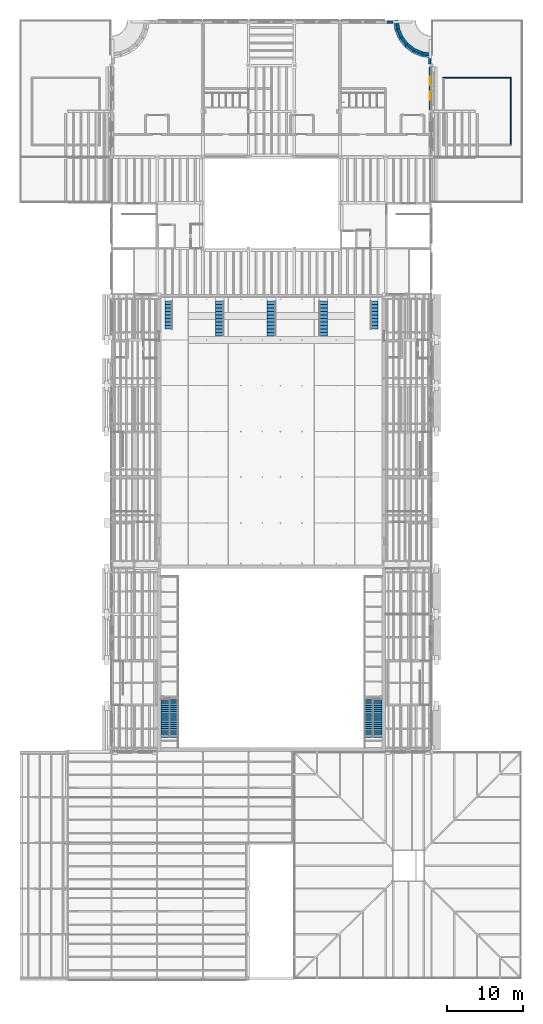
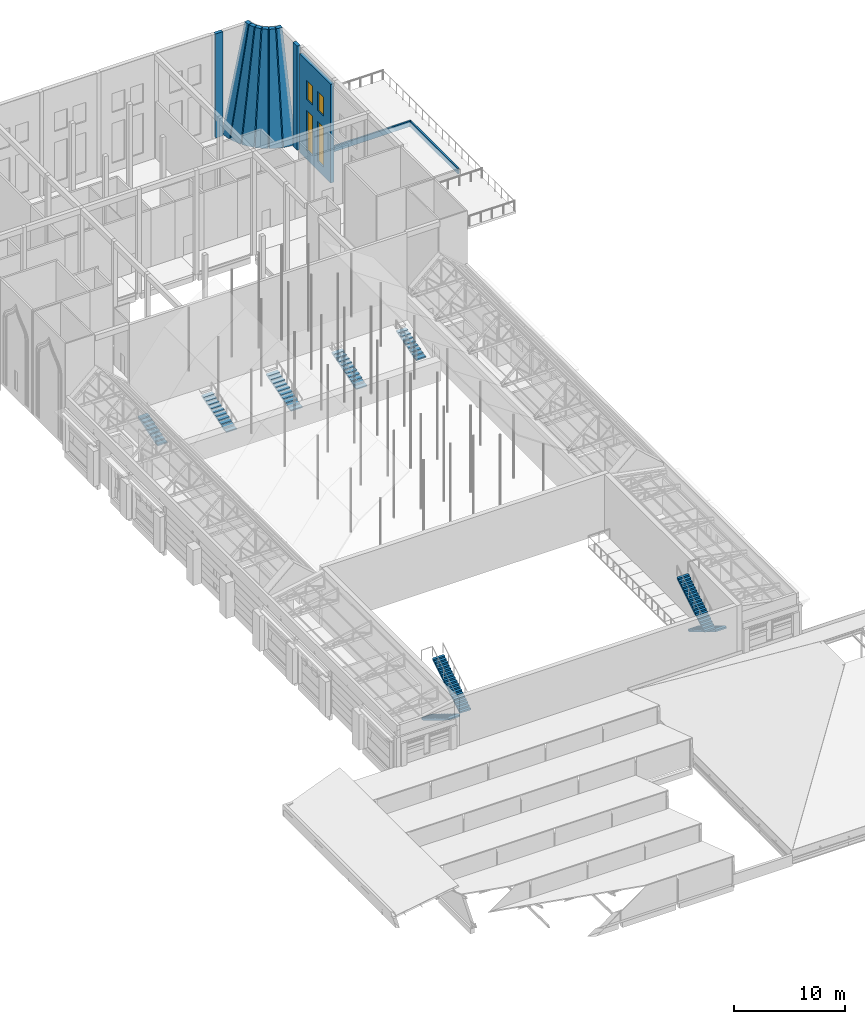
# One storey, part 69 of 118: 11 walls, 9 stair flights, 4 windows, 4 openings, 7 elements without a shape of their own.
"""IFC4 building model written with IfcOpenShell, lengths in metres."""

from ifc_helpers import new_model, si_unit, direction, frame, frame_2d, origin, place, context, subcontext, project, spatial, polyline, rectangle, outline, extrude, material, layer, layer_set, type_object, element, fill, aggregate, save


model = new_model("IFC4")

# Units and contexts
model_context = context("Model", 3, precision=1e-05, world=origin(), true_north=direction((0.0, 1.0)))
body_context = subcontext(model_context, "Body", "Model", "MODEL_VIEW")
ifc_project = project(units=[si_unit("LENGTHUNIT", "METRE"), si_unit("AREAUNIT", "SQUARE_METRE"), si_unit("VOLUMEUNIT", "CUBIC_METRE"), si_unit("PLANEANGLEUNIT", "RADIAN"), si_unit("MASSUNIT", "GRAM", prefix="KILO")], contexts=[model_context])

# Site, building, storey
site_placement = place(None, origin())
site = spatial("IfcSite", under=ifc_project, at=site_placement, CompositionType="ELEMENT")
building_placement = place(site_placement, origin())
building = spatial("IfcBuilding", under=site, at=building_placement, Name="Saffron Lane Theatres", CompositionType="ELEMENT")
storey_placement = place(building_placement, frame((0.0, 0.0, 16.5)))
storey = spatial("IfcBuildingStorey", under=building, at=storey_placement, Name="L03", CompositionType="ELEMENT", Elevation=16.5)

# Wall
ifc_material_1 = material(Name="Masonry pale clay brick", Category="masonry")
ifc_layer_1 = layer(ifc_material_1, 0.35009765625)
ifc_layer_set_1 = layer_set([ifc_layer_1], Name="Masonry pale clay brick")
wall_type_1 = type_object("IfcWallType", Name="EX-WALL BRICK 350", PredefinedType="SOLIDWALL", material=ifc_layer_set_1)
wall_1_placement = place(storey_placement, frame((53.77490234375, 120.96337890625, 0.0), z_axis=(0.0, 0.0, 1.0), x_axis=(0.0, -1.0, 0.0)))
element("IfcWall", 1, at=wall_1_placement, inside=storey, type_object=wall_type_1, Name="External wall L03 10", PredefinedType="SOLIDWALL", context=body_context, shape_type="SweptSolid", body=[
    extrude(rectangle(XDim=0.763427734375, YDim=0.35009765625, at=frame_2d((0.3818359375, 0.0))), origin(), (0.0, 0.0, 1.0), 11.5),
])

# Wall, openings, windows
wall_2_placement = place(storey_placement, frame((53.824951171875, 119.800048828125, 0.0), z_axis=(0.0, 0.0, 1.0), x_axis=(0.0, -1.0, 0.0)))
wall_2 = element("IfcWall", 2, at=wall_2_placement, inside=storey, type_object=wall_type_1, Name="External wall L03 12", PredefinedType="SOLIDWALL", context=body_context, shape_type="SweptSolid", body=[
    extrude(rectangle(XDim=5.60009765625, YDim=0.35009765625, at=frame_2d((2.800048828125, 0.0))), origin(), (0.0, 0.0, 1.0), 10.89990234375),
])
opening_1_placement = place(wall_2_placement, frame((1.25, 0.0, 1.0)))
opening_1 = element("IfcOpeningElement", 3, at=opening_1_placement, cuts=wall_2, Name="Opening WN03-021", PredefinedType="OPENING", context=body_context, shape_type="SweptSolid", body=[
    extrude(rectangle(XDim=1.10009765625, YDim=4.39990234375, at=frame_2d((0.550048828125, 2.199951171875))), frame((0.0, 0.18505859375, 0.0), z_axis=(0.0, -1.0, 0.0), x_axis=(1.0, 0.0, 0.0)), (0.0, 0.0, 1.0), 0.3701171875),
])
opening_2_placement = place(wall_2_placement, frame((3.25, 0.0, 1.0)))
opening_2 = element("IfcOpeningElement", 4, at=opening_2_placement, cuts=wall_2, Name="Opening WN03-022", PredefinedType="OPENING", context=body_context, shape_type="SweptSolid", body=[
    extrude(rectangle(XDim=1.10009765625, YDim=4.39990234375, at=frame_2d((0.550048828125, 2.199951171875))), frame((0.0, 0.18505859375, 0.0), z_axis=(0.0, -1.0, 0.0), x_axis=(1.0, 0.0, 0.0)), (0.0, 0.0, 1.0), 0.3701171875),
])
opening_3_placement = place(wall_2_placement, frame((1.25, 0.0, 6.60009765625)))
opening_3 = element("IfcOpeningElement", 5, at=opening_3_placement, cuts=wall_2, Name="Opening WN03-023", PredefinedType="OPENING", context=body_context, shape_type="SweptSolid", body=[
    extrude(rectangle(XDim=1.10009765625, YDim=2.10009765625, at=frame_2d((0.550048828125, 1.050048828125))), frame((0.0, 0.18505859375, 0.0), z_axis=(0.0, -1.0, 0.0), x_axis=(1.0, 0.0, 0.0)), (0.0, 0.0, 1.0), 0.3701171875),
])
opening_4_placement = place(wall_2_placement, frame((3.25, 0.0, 6.60009765625)))
opening_4 = element("IfcOpeningElement", 6, at=opening_4_placement, cuts=wall_2, Name="Opening WN03-024", PredefinedType="OPENING", context=body_context, shape_type="SweptSolid", body=[
    extrude(rectangle(XDim=1.10009765625, YDim=2.10009765625, at=frame_2d((0.550048828125, 1.050048828125))), frame((0.0, 0.18505859375, 0.0), z_axis=(0.0, -1.0, 0.0), x_axis=(1.0, 0.0, 0.0)), (0.0, 0.0, 1.0), 0.3701171875),
])
ifc_material_2 = material(Name="Aluminium", Category="aluminium")
window_type_1 = type_object("IfcWindowType", Name="EX-WINDOW 1100x2100", PartitioningType="SINGLE_PANEL", PredefinedType="WINDOW", material=ifc_material_2)
window_1_placement = place(opening_3_placement, origin())
window_1 = element("IfcWindow", 7, at=window_1_placement, inside=storey, type_object=window_type_1, Name="Window L03 023", OverallHeight=2.10009765625, OverallWidth=1.10009765625, PartitioningType="SINGLE_PANEL", PredefinedType="WINDOW", context=body_context, shape_type="SweptSolid", body=[
    extrude(rectangle(XDim=1.10009765625, YDim=2.10009765625, at=frame_2d((0.550048828125, 1.050048828125))), frame((0.0, 0.030029296875, 0.0), z_axis=(0.0, -1.0, 0.0), x_axis=(1.0, 0.0, 0.0)), (0.0, 0.0, 1.0), 0.06005859375),
])
fill(opening_3, window_1)
window_2_placement = place(opening_4_placement, origin())
window_2 = element("IfcWindow", 8, at=window_2_placement, inside=storey, type_object=window_type_1, Name="Window L03 024", OverallHeight=2.10009765625, OverallWidth=1.10009765625, PartitioningType="SINGLE_PANEL", PredefinedType="WINDOW", context=body_context, shape_type="SweptSolid", body=[
    extrude(rectangle(XDim=1.10009765625, YDim=2.10009765625, at=frame_2d((0.550048828125, 1.050048828125))), frame((0.0, 0.030029296875, 0.0), z_axis=(0.0, -1.0, 0.0), x_axis=(1.0, 0.0, 0.0)), (0.0, 0.0, 1.0), 0.06005859375),
])
fill(opening_4, window_2)
ifc_material_3 = material(Name="Aluminium", Category="aluminium")
window_type_2 = type_object("IfcWindowType", Name="EX-WINDOW 1100x4400", PartitioningType="SINGLE_PANEL", PredefinedType="WINDOW", material=ifc_material_3)
window_3_placement = place(opening_1_placement, origin())
window_3 = element("IfcWindow", 9, at=window_3_placement, inside=storey, type_object=window_type_2, Name="Window L03 021", OverallHeight=4.39990234375, OverallWidth=1.10009765625, PartitioningType="SINGLE_PANEL", PredefinedType="WINDOW", context=body_context, shape_type="SweptSolid", body=[
    extrude(rectangle(XDim=1.10009765625, YDim=4.39990234375, at=frame_2d((0.550048828125, 2.199951171875))), frame((0.0, 0.030029296875, 0.0), z_axis=(0.0, -1.0, 0.0), x_axis=(1.0, 0.0, 0.0)), (0.0, 0.0, 1.0), 0.06005859375),
])
fill(opening_1, window_3)
window_4_placement = place(opening_2_placement, origin())
window_4 = element("IfcWindow", 10, at=window_4_placement, inside=storey, type_object=window_type_2, Name="Window L03 022", OverallHeight=4.39990234375, OverallWidth=1.10009765625, PartitioningType="SINGLE_PANEL", PredefinedType="WINDOW", context=body_context, shape_type="SweptSolid", body=[
    extrude(rectangle(XDim=1.10009765625, YDim=4.39990234375, at=frame_2d((0.550048828125, 2.199951171875))), frame((0.0, 0.030029296875, 0.0), z_axis=(0.0, -1.0, 0.0), x_axis=(1.0, 0.0, 0.0)), (0.0, 0.0, 1.0), 0.06005859375),
])
fill(opening_2, window_4)

# Walls
ifc_material_4 = material(Name="Masonry pale clay brick (20 MPa)", Category="masonry")
ifc_layer_2 = layer(ifc_material_4, 0.35009765625)
ifc_layer_set_2 = layer_set([ifc_layer_2], Name="Masonry pale clay brick (20 MPa)")
wall_type_2 = type_object("IfcWallType", Name="EX-WALL BRICK BEARING 350", PredefinedType="SOLIDWALL", material=ifc_layer_set_2)
wall_3_placement = place(storey_placement, frame((48.199951171875, 125.72509765625, 0.0), z_axis=(0.0, 0.0, 1.0), x_axis=(1.0, 0.0, 0.0)))
element("IfcWall", 11, at=wall_3_placement, inside=storey, type_object=wall_type_2, Name="External wall L03 08", PredefinedType="SOLIDWALL", context=body_context, shape_type="SweptSolid", body=[
    extrude(rectangle(XDim=0.763916015625, YDim=0.35009765625, at=frame_2d((0.3818359375, 0.0))), origin(), (0.0, 0.0, 1.0), 11.5),
])
ifc_material_5 = material(Name="Concrete N50 (50 MPa)", Category="concrete")
ifc_layer_3 = layer(ifc_material_5, 0.175048828125)
ifc_layer_set_3 = layer_set([ifc_layer_3], Name="Concrete N50 (50 MPa)")
wall_type_3 = type_object("IfcWallType", Name="RC-KERB 175", PredefinedType="SOLIDWALL", material=ifc_layer_set_3)
wall_4_placement = place(storey_placement, frame((55.5, 118.41259765625, 0.0), z_axis=(0.0, 0.0, 1.0), x_axis=(1.0, 0.0, 0.0)))
element("IfcWall", 12, at=wall_4_placement, inside=storey, type_object=wall_type_3, Name="W-KERB-E-N-L03", PredefinedType="SOLIDWALL", context=body_context, shape_type="SweptSolid", body=[
    extrude(rectangle(XDim=9.0, YDim=0.175048828125, at=frame_2d((4.5, 0.0))), origin(), (0.0, 0.0, 1.0), 0.60009765625),
])
wall_5_placement = place(storey_placement, frame((64.41259765625, 109.675048828125, 0.0), z_axis=(0.0, 0.0, 1.0), x_axis=(0.0, 1.0, 0.0)))
element("IfcWall", 13, at=wall_5_placement, inside=storey, type_object=wall_type_3, Name="W-KERB-E-E-L03", PredefinedType="SOLIDWALL", context=body_context, shape_type="SweptSolid", body=[
    extrude(rectangle(XDim=8.64990234375, YDim=0.175048828125, at=frame_2d((4.324951171875, 0.0))), origin(), (0.0, 0.0, 1.0), 0.60009765625),
])
ifc_material_6 = material(Name="Masonry pale clay brick", Category="masonry")
ifc_layer_4 = layer(ifc_material_6, 0.11, Name="facing")
ifc_material_7 = material(Name="Concrete N50 (50 MPa)", Category="concrete")
ifc_layer_5 = layer(ifc_material_7, 0.29, Name="structure")
ifc_layer_set_4 = layer_set([ifc_layer_4, ifc_layer_5], Name="Concrete N50 (50 MPa)")
wall_type_4 = type_object("IfcWallType", Name="RC-SCOOP 400", PredefinedType="SOLIDWALL", material=ifc_layer_set_4)
wall_6_placement = place(storey_placement, frame((49.589111328125, 124.817626953125, 0.0), z_axis=(-0.970658767683, -0.127804312758, 0.203685086252), x_axis=(-0.130537547954, 0.991443366163, 1.6312522e-05)))
element("IfcWall", 14, at=wall_6_placement, inside=storey, type_object=wall_type_4, Name="W-SCOOP-NE-L03-1-F1", PredefinedType="SOLIDWALL", context=body_context, shape_type="SweptSolid", body=[
    extrude(outline(polyline([(0.0, 0.0), (1.1920726937598658, 0.0), (0.8772619664799506, -11.746228243084472), (0.3150654315962502, -11.746257472389681), (0.0, 0.0)])), origin(), (1.1662418e-05, 0.203685086452, 0.979036457657), 0.408447265625),
])
wall_7_placement = place(storey_placement, frame((50.04541015625, 123.71630859375, 0.0), z_axis=(-0.904489867265, -0.374713337598, 0.203686019748), x_axis=(-0.382738214206, 0.923856839203, -6.661643e-06)))
element("IfcWall", 15, at=wall_7_placement, inside=storey, type_object=wall_type_4, Name="W-SCOOP-NE-L03-1-F3", PredefinedType="SOLIDWALL", context=body_context, shape_type="SweptSolid", body=[
    extrude(outline(polyline([(0.0, 0.0), (1.1921034970691948, 0.0), (0.876802602389055, -11.746251154613784), (0.3147332997278946, -11.746239218719175), (0.0, 0.0)])), origin(), (5.9874528e-05, 0.203686018997, 0.979036261882), 0.408447265625),
])
wall_8_placement = place(storey_placement, frame((50.77099609375, 122.7705078125, 0.0), z_axis=(-0.776823680551, -0.595869137879, 0.203678520857), x_axis=(-0.608629514106, 0.793454544619, -1.3471187e-05)))
element("IfcWall", 16, at=wall_8_placement, inside=storey, type_object=wall_type_4, Name="W-SCOOP-NE-L03-1-F5", PredefinedType="SOLIDWALL", context=body_context, shape_type="SweptSolid", body=[
    extrude(outline(polyline([(0.0, 0.0), (1.1920629447704265, 2.7755575615628914e-17), (0.8773044418350319, -11.746238543187681), (0.31521181432461715, -11.746214406676541), (0.0, 0.0)])), origin(), (-0.00016613122, 0.203678520256, 0.979037809682), 0.408447265625),
])
wall_9_placement = place(storey_placement, frame((51.716796875, 122.044921875, 0.0), z_axis=(-0.595869137879, -0.776823680551, 0.203678520857), x_axis=(-0.793454544619, 0.608629514106, 1.3471187e-05)))
element("IfcWall", 17, at=wall_9_placement, inside=storey, type_object=wall_type_4, Name="W-SCOOP-NE-L03-1-F7", PredefinedType="SOLIDWALL", context=body_context, shape_type="SweptSolid", body=[
    extrude(outline(polyline([(0.0, 0.0), (1.1920629447704265, -2.7755575615628914e-17), (0.8768511304458095, -11.746214406676541), (0.3147585029353948, -11.746238543187681), (0.0, 0.0)])), origin(), (0.00016613122, 0.203678520256, 0.979037809682), 0.408447265625),
])
wall_10_placement = place(storey_placement, frame((52.818115234375, 121.588623046875, 0.0), z_axis=(-0.374713337598, -0.904489867265, 0.203686019748), x_axis=(-0.923856839203, 0.382738214206, 6.661643e-06)))
element("IfcWall", 18, at=wall_10_placement, inside=storey, type_object=wall_type_4, Name="W-SCOOP-NE-L03-1-F9", PredefinedType="SOLIDWALL", context=body_context, shape_type="SweptSolid", body=[
    extrude(outline(polyline([(0.0, 0.0), (1.1921034970691948, 0.0), (0.8773701973413004, -11.746239218719175), (0.3153008946801397, -11.746251154613784), (0.0, 0.0)])), origin(), (-5.9874528e-05, 0.203686018997, 0.979036261882), 0.408447265625),
])
wall_11_placement = place(storey_placement, frame((54.0, 121.43310546875, 0.0), z_axis=(-0.127804312758, -0.970658767683, 0.203685086252), x_axis=(-0.991443366163, 0.130537547954, -1.6312522e-05)))
element("IfcWall", 19, at=wall_11_placement, inside=storey, type_object=wall_type_4, Name="W-SCOOP-NE-L03-1-F11", PredefinedType="SOLIDWALL", context=body_context, shape_type="SweptSolid", body=[
    extrude(outline(polyline([(0.0, 0.0), (1.1920726937598658, 0.0), (0.8770072621636154, -11.746257472389681), (0.31481072727991516, -11.746228243084472), (0.0, 0.0)])), origin(), (-1.1662418e-05, 0.203685086452, 0.979036457657), 0.408447265625),
])

# Stair, stair flights
ifc_material_8 = material(Name="Steel Grade 350 stair", Category="steel")
stair_type_1 = type_object("IfcStairType", Name="ST-STEEL STAIR", PredefinedType="HALF_TURN_STAIR", material=ifc_material_8)
stair_1_placement = place(storey_placement, origin())
stair_1 = element("IfcStair", 20, at=stair_1_placement, inside=storey, type_object=stair_type_1, Name="STG3", PredefinedType="HALF_TURN_STAIR")
ifc_material_9 = material(Name="Steel Grade 350 stair", Category="steel")
stair_flight_type_1 = type_object("IfcStairFlightType", Name="ST-STEEL STAIR FLIGHT", PredefinedType="STRAIGHT", material=ifc_material_9)
stair_flight_1_placement = place(storey_placement, frame((19.074951171875, 36.89990234375, 0.0), z_axis=(0.0, 0.0, 1.0), x_axis=(0.0, -1.0, 0.0)))
stair_flight_1 = element("IfcStairFlight", 21, at=stair_flight_1_placement, type_object=stair_flight_type_1, Name="STG3 flight 1", NumberOfRisers=19, NumberOfTreads=18, PredefinedType="STRAIGHT", RiserHeight=0.171053, TreadLength=0.28, context=body_context, shape_type="SweptSolid", body=[
    extrude(outline(polyline([(0.0, 0.0), (0.0, 0.171142578125), (0.280029296875, 0.171142578125), (0.280029296875, 0.342041015625), (0.56005859375, 0.342041015625), (0.56005859375, 0.51318359375), (0.840087890625, 0.51318359375), (0.840087890625, 0.684326171875), (1.1201171875, 0.684326171875), (1.1201171875, 0.855224609375), (1.39990234375, 0.855224609375), (1.39990234375, 1.0263671875), (1.679931640625, 1.0263671875), (1.679931640625, 1.197265625), (1.9599609375, 1.197265625), (1.9599609375, 1.368408203125), (2.239990234375, 1.368408203125), (2.239990234375, 1.53955078125), (2.52001953125, 1.53955078125), (2.52001953125, 1.71044921875), (2.800048828125, 1.71044921875), (2.800048828125, 1.881591796875), (3.080078125, 1.881591796875), (3.080078125, 2.052734375), (3.360107421875, 2.052734375), (3.360107421875, 2.2236328125), (3.639892578125, 2.2236328125), (3.639892578125, 2.394775390625), (3.919921875, 2.394775390625), (3.919921875, 2.565673828125), (4.199951171875, 2.565673828125), (4.199951171875, 2.73681640625), (4.47998046875, 2.73681640625), (4.47998046875, 2.907958984375), (4.760009765625, 2.907958984375), (4.760009765625, 3.078857421875), (5.0400390625, 3.078857421875), (5.0400390625, 3.25), (5.0400390625, 2.9033203125), (0.28759765625, 0.0), (0.0, 0.0)])), frame((0.0, 0.574951171875, 0.0), z_axis=(0.0, -1.0, 0.0), x_axis=(1.0, 0.0, 0.0)), (0.0, 0.0, 1.0), 1.14990234375),
])
stair_flight_2_placement = place(storey_placement, frame((20.22509765625, 31.860107421875, 3.25), z_axis=(0.0, 0.0, 1.0), x_axis=(0.0, 1.0, 0.0)))
stair_flight_2 = element("IfcStairFlight", 22, at=stair_flight_2_placement, type_object=stair_flight_type_1, Name="STG3 flight 2", NumberOfRisers=19, NumberOfTreads=18, PredefinedType="STRAIGHT", RiserHeight=0.171053, TreadLength=0.28, context=body_context, shape_type="SweptSolid", body=[
    extrude(outline(polyline([(0.0, 0.0), (0.0, 0.171142578125), (0.280029296875, 0.171142578125), (0.280029296875, 0.342041015625), (0.56005859375, 0.342041015625), (0.56005859375, 0.51318359375), (0.840087890625, 0.51318359375), (0.840087890625, 0.684326171875), (1.1201171875, 0.684326171875), (1.1201171875, 0.855224609375), (1.39990234375, 0.855224609375), (1.39990234375, 1.0263671875), (1.679931640625, 1.0263671875), (1.679931640625, 1.197265625), (1.9599609375, 1.197265625), (1.9599609375, 1.368408203125), (2.239990234375, 1.368408203125), (2.239990234375, 1.53955078125), (2.52001953125, 1.53955078125), (2.52001953125, 1.71044921875), (2.800048828125, 1.71044921875), (2.800048828125, 1.881591796875), (3.080078125, 1.881591796875), (3.080078125, 2.052734375), (3.360107421875, 2.052734375), (3.360107421875, 2.2236328125), (3.639892578125, 2.2236328125), (3.639892578125, 2.394775390625), (3.919921875, 2.394775390625), (3.919921875, 2.565673828125), (4.199951171875, 2.565673828125), (4.199951171875, 2.73681640625), (4.47998046875, 2.73681640625), (4.47998046875, 2.907958984375), (4.760009765625, 2.907958984375), (4.760009765625, 3.078857421875), (5.0400390625, 3.078857421875), (5.0400390625, 3.25), (5.0400390625, 2.9033203125), (0.28759765625, 0.0), (0.0, 0.0)])), frame((0.0, 0.574951171875, 0.0), z_axis=(0.0, -1.0, 0.0), x_axis=(1.0, 0.0, 0.0)), (0.0, 0.0, 1.0), 1.14990234375),
])
aggregate(stair_1, [stair_flight_1, stair_flight_2])

stair_2_placement = place(storey_placement, origin())
stair_2 = element("IfcStair", 23, at=stair_2_placement, inside=storey, type_object=stair_type_1, Name="STG6", PredefinedType="HALF_TURN_STAIR")
stair_flight_3_placement = place(storey_placement, frame((46.925048828125, 36.89990234375, 0.0), z_axis=(0.0, 0.0, 1.0), x_axis=(0.0, -1.0, 0.0)))
stair_flight_3 = element("IfcStairFlight", 24, at=stair_flight_3_placement, type_object=stair_flight_type_1, Name="STG6 flight 1", NumberOfRisers=19, NumberOfTreads=18, PredefinedType="STRAIGHT", RiserHeight=0.171053, TreadLength=0.28, context=body_context, shape_type="SweptSolid", body=[
    extrude(outline(polyline([(0.0, 0.0), (0.0, 0.171142578125), (0.280029296875, 0.171142578125), (0.280029296875, 0.342041015625), (0.56005859375, 0.342041015625), (0.56005859375, 0.51318359375), (0.840087890625, 0.51318359375), (0.840087890625, 0.684326171875), (1.1201171875, 0.684326171875), (1.1201171875, 0.855224609375), (1.39990234375, 0.855224609375), (1.39990234375, 1.0263671875), (1.679931640625, 1.0263671875), (1.679931640625, 1.197265625), (1.9599609375, 1.197265625), (1.9599609375, 1.368408203125), (2.239990234375, 1.368408203125), (2.239990234375, 1.53955078125), (2.52001953125, 1.53955078125), (2.52001953125, 1.71044921875), (2.800048828125, 1.71044921875), (2.800048828125, 1.881591796875), (3.080078125, 1.881591796875), (3.080078125, 2.052734375), (3.360107421875, 2.052734375), (3.360107421875, 2.2236328125), (3.639892578125, 2.2236328125), (3.639892578125, 2.394775390625), (3.919921875, 2.394775390625), (3.919921875, 2.565673828125), (4.199951171875, 2.565673828125), (4.199951171875, 2.73681640625), (4.47998046875, 2.73681640625), (4.47998046875, 2.907958984375), (4.760009765625, 2.907958984375), (4.760009765625, 3.078857421875), (5.0400390625, 3.078857421875), (5.0400390625, 3.25), (5.0400390625, 2.9033203125), (0.28759765625, 0.0), (0.0, 0.0)])), frame((0.0, 0.574951171875, 0.0), z_axis=(0.0, -1.0, 0.0), x_axis=(1.0, 0.0, 0.0)), (0.0, 0.0, 1.0), 1.14990234375),
])
stair_flight_4_placement = place(storey_placement, frame((45.77490234375, 31.860107421875, 3.25), z_axis=(0.0, 0.0, 1.0), x_axis=(0.0, 1.0, 0.0)))
stair_flight_4 = element("IfcStairFlight", 25, at=stair_flight_4_placement, type_object=stair_flight_type_1, Name="STG6 flight 2", NumberOfRisers=19, NumberOfTreads=18, PredefinedType="STRAIGHT", RiserHeight=0.171053, TreadLength=0.28, context=body_context, shape_type="SweptSolid", body=[
    extrude(outline(polyline([(0.0, 0.0), (0.0, 0.171142578125), (0.280029296875, 0.171142578125), (0.280029296875, 0.342041015625), (0.56005859375, 0.342041015625), (0.56005859375, 0.51318359375), (0.840087890625, 0.51318359375), (0.840087890625, 0.684326171875), (1.1201171875, 0.684326171875), (1.1201171875, 0.855224609375), (1.39990234375, 0.855224609375), (1.39990234375, 1.0263671875), (1.679931640625, 1.0263671875), (1.679931640625, 1.197265625), (1.9599609375, 1.197265625), (1.9599609375, 1.368408203125), (2.239990234375, 1.368408203125), (2.239990234375, 1.53955078125), (2.52001953125, 1.53955078125), (2.52001953125, 1.71044921875), (2.800048828125, 1.71044921875), (2.800048828125, 1.881591796875), (3.080078125, 1.881591796875), (3.080078125, 2.052734375), (3.360107421875, 2.052734375), (3.360107421875, 2.2236328125), (3.639892578125, 2.2236328125), (3.639892578125, 2.394775390625), (3.919921875, 2.394775390625), (3.919921875, 2.565673828125), (4.199951171875, 2.565673828125), (4.199951171875, 2.73681640625), (4.47998046875, 2.73681640625), (4.47998046875, 2.907958984375), (4.760009765625, 2.907958984375), (4.760009765625, 3.078857421875), (5.0400390625, 3.078857421875), (5.0400390625, 3.25), (5.0400390625, 2.9033203125), (0.28759765625, 0.0), (0.0, 0.0)])), frame((0.0, 0.574951171875, 0.0), z_axis=(0.0, -1.0, 0.0), x_axis=(1.0, 0.0, 0.0)), (0.0, 0.0, 1.0), 1.14990234375),
])
aggregate(stair_2, [stair_flight_3, stair_flight_4])

# Stair, stair flight
ifc_material_10 = material(Name="Concrete N40 (40 MPa)", Category="concrete")
stair_type_2 = type_object("IfcStairType", Name="VC-STAIR AISLE", PredefinedType="STRAIGHT_RUN_STAIR", material=ifc_material_10)
stair_3_placement = place(storey_placement, origin())
stair_3 = element("IfcStair", 26, at=stair_3_placement, inside=storey, type_object=stair_type_2, Name="Upper Circle aisle 1", PredefinedType="STRAIGHT_RUN_STAIR")
ifc_material_11 = material(Name="Concrete N40 (40 MPa)", Category="concrete")
stair_flight_type_2 = type_object("IfcStairFlightType", Name="VC-FLIGHT 1000", PredefinedType="STRAIGHT", material=ifc_material_11)
stair_flight_5_placement = place(storey_placement, frame((19.5, 85.449951171875, 0.507568359375), z_axis=(0.0, 0.0, 1.0), x_axis=(0.0, 1.0, 0.0)))
stair_flight_5 = element("IfcStairFlight", 27, at=stair_flight_5_placement, type_object=stair_flight_type_2, Name="Upper Circle aisle 1 flight", NumberOfRisers=9, NumberOfTreads=8, PredefinedType="STRAIGHT", RiserHeight=0.141388889, TreadLength=0.454464286, context=body_context, shape_type="SweptSolid", body=[
    extrude(outline(polyline([(0.0, 0.0), (0.0, 0.141357421875), (0.454345703125, 0.141357421875), (0.454345703125, 0.28271484375), (0.908935546875, 0.28271484375), (0.908935546875, 0.424072265625), (1.36328125, 0.424072265625), (1.36328125, 0.565673828125), (1.81787109375, 0.565673828125), (1.81787109375, 0.70703125), (2.272216796875, 0.70703125), (2.272216796875, 0.848388671875), (2.726806640625, 0.848388671875), (2.726806640625, 0.98974609375), (3.18115234375, 0.98974609375), (3.18115234375, 1.131103515625), (3.6357421875, 1.131103515625), (3.6357421875, 1.2724609375), (3.6357421875, 0.97412109375), (0.504638671875, 0.0), (0.0, 0.0)])), frame((0.0, 0.5, 0.0), z_axis=(0.0, -1.0, 0.0), x_axis=(1.0, 0.0, 0.0)), (0.0, 0.0, 1.0), 1.0),
])
aggregate(stair_3, [stair_flight_5])

stair_4_placement = place(storey_placement, origin())
stair_4 = element("IfcStair", 28, at=stair_4_placement, inside=storey, type_object=stair_type_2, Name="Upper Circle aisle 5", PredefinedType="STRAIGHT_RUN_STAIR")
stair_flight_6_placement = place(storey_placement, frame((46.5, 85.449951171875, 0.507568359375), z_axis=(0.0, 0.0, 1.0), x_axis=(0.0, 1.0, 0.0)))
stair_flight_6 = element("IfcStairFlight", 29, at=stair_flight_6_placement, type_object=stair_flight_type_2, Name="Upper Circle aisle 5 flight", NumberOfRisers=9, NumberOfTreads=8, PredefinedType="STRAIGHT", RiserHeight=0.141388889, TreadLength=0.454464286, context=body_context, shape_type="SweptSolid", body=[
    extrude(outline(polyline([(0.0, 0.0), (0.0, 0.141357421875), (0.454345703125, 0.141357421875), (0.454345703125, 0.28271484375), (0.908935546875, 0.28271484375), (0.908935546875, 0.424072265625), (1.36328125, 0.424072265625), (1.36328125, 0.565673828125), (1.81787109375, 0.565673828125), (1.81787109375, 0.70703125), (2.272216796875, 0.70703125), (2.272216796875, 0.848388671875), (2.726806640625, 0.848388671875), (2.726806640625, 0.98974609375), (3.18115234375, 0.98974609375), (3.18115234375, 1.131103515625), (3.6357421875, 1.131103515625), (3.6357421875, 1.2724609375), (3.6357421875, 0.97412109375), (0.504638671875, 0.0), (0.0, 0.0)])), frame((0.0, 0.5, 0.0), z_axis=(0.0, -1.0, 0.0), x_axis=(1.0, 0.0, 0.0)), (0.0, 0.0, 1.0), 1.0),
])
aggregate(stair_4, [stair_flight_6])

stair_5_placement = place(storey_placement, origin())
stair_5 = element("IfcStair", 30, at=stair_5_placement, inside=storey, type_object=stair_type_2, Name="Upper Circle aisle 2", PredefinedType="STRAIGHT_RUN_STAIR")
ifc_material_12 = material(Name="Concrete N40 (40 MPa)", Category="concrete")
stair_flight_type_3 = type_object("IfcStairFlightType", Name="VC-FLIGHT 1100", PredefinedType="STRAIGHT", material=ifc_material_12)
stair_flight_7_placement = place(storey_placement, frame((26.199951171875, 84.550048828125, 0.1923828125), z_axis=(0.0, 0.0, 1.0), x_axis=(0.0, 1.0, 0.0)))
stair_flight_7 = element("IfcStairFlight", 31, at=stair_flight_7_placement, type_object=stair_flight_type_3, Name="Upper Circle aisle 2 flight", NumberOfRisers=11, NumberOfTreads=10, PredefinedType="STRAIGHT", RiserHeight=0.144318182, TreadLength=0.453571429, context=body_context, shape_type="SweptSolid", body=[
    extrude(outline(polyline([(0.0, 0.0), (0.0, 0.144287109375), (0.45361328125, 0.144287109375), (0.45361328125, 0.28857421875), (0.9072265625, 0.28857421875), (0.9072265625, 0.432861328125), (1.360595703125, 0.432861328125), (1.360595703125, 0.577392578125), (1.814208984375, 0.577392578125), (1.814208984375, 0.7216796875), (2.267822265625, 0.7216796875), (2.267822265625, 0.865966796875), (2.721435546875, 0.865966796875), (2.721435546875, 1.01025390625), (3.175048828125, 1.01025390625), (3.175048828125, 1.154541015625), (3.628662109375, 1.154541015625), (3.628662109375, 1.298828125), (4.08203125, 1.298828125), (4.08203125, 1.443115234375), (4.53564453125, 1.443115234375), (4.53564453125, 1.58740234375), (4.53564453125, 1.285888671875), (0.494384765625, 0.0), (0.0, 0.0)])), frame((0.0, 0.550048828125, 0.0), z_axis=(0.0, -1.0, 0.0), x_axis=(1.0, 0.0, 0.0)), (0.0, 0.0, 1.0), 1.10009765625),
])
aggregate(stair_5, [stair_flight_7])

stair_6_placement = place(storey_placement, origin())
stair_6 = element("IfcStair", 32, at=stair_6_placement, inside=storey, type_object=stair_type_2, Name="Upper Circle aisle 4", PredefinedType="STRAIGHT_RUN_STAIR")
stair_flight_8_placement = place(storey_placement, frame((39.800048828125, 84.550048828125, 0.1923828125), z_axis=(0.0, 0.0, 1.0), x_axis=(0.0, 1.0, 0.0)))
stair_flight_8 = element("IfcStairFlight", 33, at=stair_flight_8_placement, type_object=stair_flight_type_3, Name="Upper Circle aisle 4 flight", NumberOfRisers=11, NumberOfTreads=10, PredefinedType="STRAIGHT", RiserHeight=0.144318182, TreadLength=0.453571429, context=body_context, shape_type="SweptSolid", body=[
    extrude(outline(polyline([(0.0, 0.0), (0.0, 0.144287109375), (0.45361328125, 0.144287109375), (0.45361328125, 0.28857421875), (0.9072265625, 0.28857421875), (0.9072265625, 0.432861328125), (1.360595703125, 0.432861328125), (1.360595703125, 0.577392578125), (1.814208984375, 0.577392578125), (1.814208984375, 0.7216796875), (2.267822265625, 0.7216796875), (2.267822265625, 0.865966796875), (2.721435546875, 0.865966796875), (2.721435546875, 1.01025390625), (3.175048828125, 1.01025390625), (3.175048828125, 1.154541015625), (3.628662109375, 1.154541015625), (3.628662109375, 1.298828125), (4.08203125, 1.298828125), (4.08203125, 1.443115234375), (4.53564453125, 1.443115234375), (4.53564453125, 1.58740234375), (4.53564453125, 1.285888671875), (0.494384765625, 0.0), (0.0, 0.0)])), frame((0.0, 0.550048828125, 0.0), z_axis=(0.0, -1.0, 0.0), x_axis=(1.0, 0.0, 0.0)), (0.0, 0.0, 1.0), 1.10009765625),
])
aggregate(stair_6, [stair_flight_8])

stair_7_placement = place(storey_placement, origin())
stair_7 = element("IfcStair", 34, at=stair_7_placement, inside=storey, type_object=stair_type_2, Name="Upper Circle aisle 3", PredefinedType="STRAIGHT_RUN_STAIR")
ifc_material_13 = material(Name="Concrete N40 (40 MPa)", Category="concrete")
stair_flight_type_4 = type_object("IfcStairFlightType", Name="VC-FLIGHT 1200", PredefinedType="STRAIGHT", material=ifc_material_13)
stair_flight_9_placement = place(storey_placement, frame((33.0, 84.550048828125, 0.1923828125), z_axis=(0.0, 0.0, 1.0), x_axis=(0.0, 1.0, 0.0)))
stair_flight_9 = element("IfcStairFlight", 35, at=stair_flight_9_placement, type_object=stair_flight_type_4, Name="Upper Circle aisle 3 flight", NumberOfRisers=11, NumberOfTreads=10, PredefinedType="STRAIGHT", RiserHeight=0.144318182, TreadLength=0.453571429, context=body_context, shape_type="SweptSolid", body=[
    extrude(outline(polyline([(0.0, 0.0), (0.0, 0.144287109375), (0.45361328125, 0.144287109375), (0.45361328125, 0.28857421875), (0.9072265625, 0.28857421875), (0.9072265625, 0.432861328125), (1.360595703125, 0.432861328125), (1.360595703125, 0.577392578125), (1.814208984375, 0.577392578125), (1.814208984375, 0.7216796875), (2.267822265625, 0.7216796875), (2.267822265625, 0.865966796875), (2.721435546875, 0.865966796875), (2.721435546875, 1.01025390625), (3.175048828125, 1.01025390625), (3.175048828125, 1.154541015625), (3.628662109375, 1.154541015625), (3.628662109375, 1.298828125), (4.08203125, 1.298828125), (4.08203125, 1.443115234375), (4.53564453125, 1.443115234375), (4.53564453125, 1.58740234375), (4.53564453125, 1.285888671875), (0.494384765625, 0.0), (0.0, 0.0)])), frame((0.0, 0.60009765625, 0.0), z_axis=(0.0, -1.0, 0.0), x_axis=(1.0, 0.0, 0.0)), (0.0, 0.0, 1.0), 1.199951171875),
])
aggregate(stair_7, [stair_flight_9])

save(model, "model.ifc")
